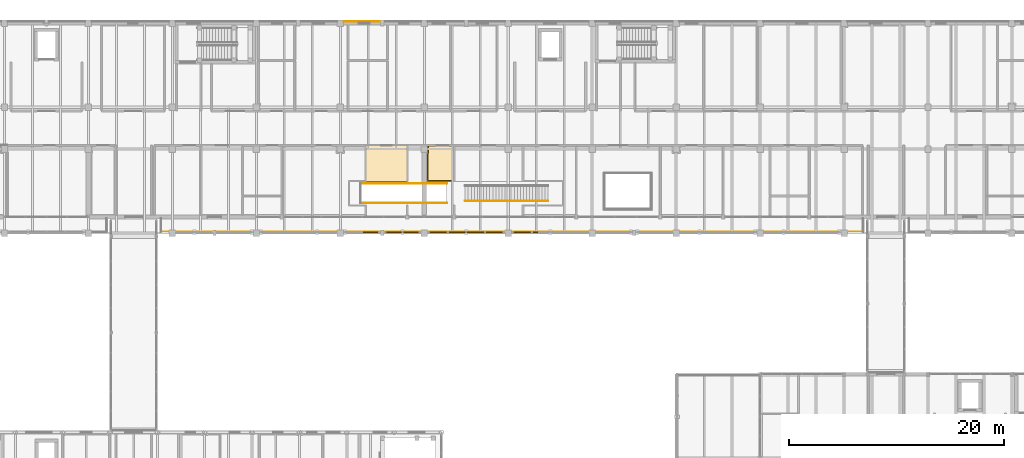
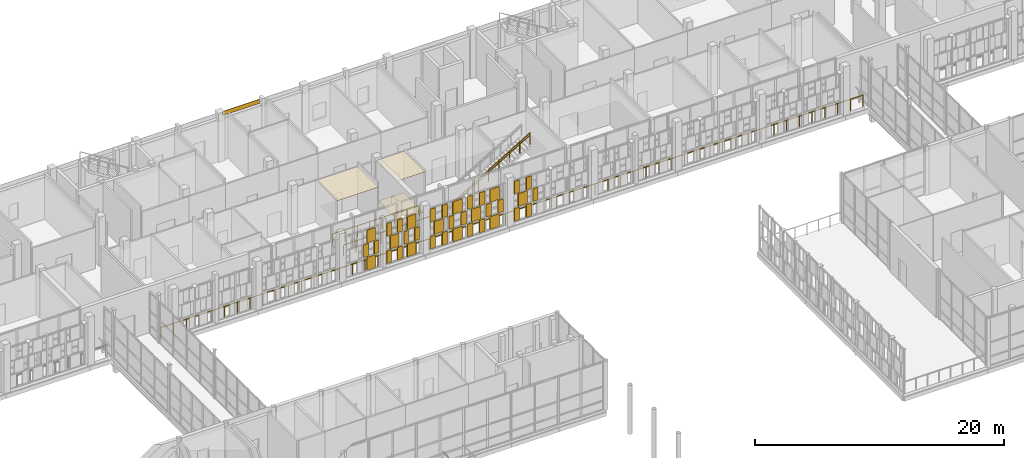
# One storey, part 133 of 138: 41 coverings, 5 railings.
"""IFC4 building model written with IfcOpenShell, lengths in metres."""

from ifc_helpers import new_model, si_unit, direction, frame, origin, origin_2d, place, context, subcontext, project, spatial, polyline, rectangle, circle, outline, extrude, material, layer, layer_set, type_object, element, save


model = new_model("IFC4")

# Units and contexts
model_context = context("Model", 3, precision=1e-05, world=origin(), true_north=direction((0.0, 1.0)))
body_context = subcontext(model_context, "Body", "Model", "MODEL_VIEW")
ifc_project = project(units=[si_unit("LENGTHUNIT", "METRE"), si_unit("AREAUNIT", "SQUARE_METRE"), si_unit("VOLUMEUNIT", "CUBIC_METRE"), si_unit("PLANEANGLEUNIT", "RADIAN"), si_unit("MASSUNIT", "GRAM", prefix="KILO")], contexts=[model_context])

# Site, building, storey
site_placement = place(None, origin())
site = spatial("IfcSite", under=ifc_project, at=site_placement, CompositionType="ELEMENT")
building_placement = place(site_placement, origin())
building = spatial("IfcBuilding", under=site, at=building_placement, Name="Celorna Specialist Clinic", CompositionType="ELEMENT")
storey_placement = place(building_placement, frame((0.0, 0.0, 4.800048828125)))
storey = spatial("IfcBuildingStorey", under=building, at=storey_placement, Name="L01", CompositionType="ELEMENT", Elevation=4.800048828125)

# Railings
ifc_material_1 = material(Name="Stainless steel and laminated glass balustrade", Category="steel")
railing_type_1 = type_object("IfcRailingType", Name="BL-01", PredefinedType="BALUSTRADE", material=ifc_material_1)
railing_1_placement = place(storey_placement, frame((142.179931640625, 96.6201171875, 0.0)))
element("IfcRailing", 1, at=railing_1_placement, inside=storey, type_object=railing_type_1, Name="Central Outpatient Cloister Veranda perimeter balustrade 4", PredefinedType="BALUSTRADE", context=body_context, shape_type="SweptSolid", body=[
    extrude(circle(Radius=0.02392578125, at=origin_2d()), frame((0.0, 0.0, 1.09619140625), z_axis=(-1.0, 0.0, 0.0), x_axis=(0.0, -1.0, 0.0)), (0.0, 0.0, 1.0), 65.260009765625),
    extrude(circle(Radius=0.02099609375, at=origin_2d()), origin(), (0.0, 0.0, 1.0), 1.072021484375),
    extrude(circle(Radius=0.02099609375, at=origin_2d()), frame((-1.1865234375, 0.0, 0.0)), (0.0, 0.0, 1.0), 1.072021484375),
    extrude(circle(Radius=0.02099609375, at=origin_2d()), frame((-2.373046875, 0.0, 0.0)), (0.0, 0.0, 1.0), 1.072021484375),
    extrude(circle(Radius=0.02099609375, at=origin_2d()), frame((-3.5595703125, 0.0, 0.0)), (0.0, 0.0, 1.0), 1.072021484375),
    extrude(circle(Radius=0.02099609375, at=origin_2d()), frame((-4.74609375, 0.0, 0.0)), (0.0, 0.0, 1.0), 1.072021484375),
    extrude(circle(Radius=0.02099609375, at=origin_2d()), frame((-5.9326171875, 0.0, 0.0)), (0.0, 0.0, 1.0), 1.072021484375),
    extrude(circle(Radius=0.02099609375, at=origin_2d()), frame((-7.119384765625, 0.0, 0.0)), (0.0, 0.0, 1.0), 1.072021484375),
    extrude(circle(Radius=0.02099609375, at=origin_2d()), frame((-8.305908203125, 0.0, 0.0)), (0.0, 0.0, 1.0), 1.072021484375),
    extrude(circle(Radius=0.02099609375, at=origin_2d()), frame((-9.492431640625, 0.0, 0.0)), (0.0, 0.0, 1.0), 1.072021484375),
    extrude(circle(Radius=0.02099609375, at=origin_2d()), frame((-10.678955078125, 0.0, 0.0)), (0.0, 0.0, 1.0), 1.072021484375),
    extrude(circle(Radius=0.02099609375, at=origin_2d()), frame((-11.865478515625, 0.0, 0.0)), (0.0, 0.0, 1.0), 1.072021484375),
    extrude(circle(Radius=0.02099609375, at=origin_2d()), frame((-13.052001953125, 0.0, 0.0)), (0.0, 0.0, 1.0), 1.072021484375),
    extrude(circle(Radius=0.02099609375, at=origin_2d()), frame((-14.238525390625, 0.0, 0.0)), (0.0, 0.0, 1.0), 1.072021484375),
    extrude(circle(Radius=0.02099609375, at=origin_2d()), frame((-15.425048828125, 0.0, 0.0)), (0.0, 0.0, 1.0), 1.072021484375),
    extrude(circle(Radius=0.02099609375, at=origin_2d()), frame((-16.611572265625, 0.0, 0.0)), (0.0, 0.0, 1.0), 1.072021484375),
    extrude(circle(Radius=0.02099609375, at=origin_2d()), frame((-17.798095703125, 0.0, 0.0)), (0.0, 0.0, 1.0), 1.072021484375),
    extrude(circle(Radius=0.02099609375, at=origin_2d()), frame((-18.984619140625, 0.0, 0.0)), (0.0, 0.0, 1.0), 1.072021484375),
    extrude(circle(Radius=0.02099609375, at=origin_2d()), frame((-20.17138671875, 0.0, 0.0)), (0.0, 0.0, 1.0), 1.072021484375),
    extrude(circle(Radius=0.02099609375, at=origin_2d()), frame((-21.35791015625, 0.0, 0.0)), (0.0, 0.0, 1.0), 1.072021484375),
    extrude(circle(Radius=0.02099609375, at=origin_2d()), frame((-22.54443359375, 0.0, 0.0)), (0.0, 0.0, 1.0), 1.072021484375),
    extrude(circle(Radius=0.02099609375, at=origin_2d()), frame((-23.73095703125, 0.0, 0.0)), (0.0, 0.0, 1.0), 1.072021484375),
    extrude(circle(Radius=0.02099609375, at=origin_2d()), frame((-24.91748046875, 0.0, 0.0)), (0.0, 0.0, 1.0), 1.072021484375),
    extrude(circle(Radius=0.02099609375, at=origin_2d()), frame((-26.10400390625, 0.0, 0.0)), (0.0, 0.0, 1.0), 1.072021484375),
    extrude(circle(Radius=0.02099609375, at=origin_2d()), frame((-27.29052734375, 0.0, 0.0)), (0.0, 0.0, 1.0), 1.072021484375),
    extrude(circle(Radius=0.02099609375, at=origin_2d()), frame((-28.47705078125, 0.0, 0.0)), (0.0, 0.0, 1.0), 1.072021484375),
    extrude(circle(Radius=0.02099609375, at=origin_2d()), frame((-29.66357421875, 0.0, 0.0)), (0.0, 0.0, 1.0), 1.072021484375),
    extrude(circle(Radius=0.02099609375, at=origin_2d()), frame((-30.85009765625, 0.0, 0.0)), (0.0, 0.0, 1.0), 1.072021484375),
    extrude(circle(Radius=0.02099609375, at=origin_2d()), frame((-32.03662109375, 0.0, 0.0)), (0.0, 0.0, 1.0), 1.072021484375),
    extrude(circle(Radius=0.02099609375, at=origin_2d()), frame((-33.223388671875, 0.0, 0.0)), (0.0, 0.0, 1.0), 1.072021484375),
    extrude(circle(Radius=0.02099609375, at=origin_2d()), frame((-34.409912109375, 0.0, 0.0)), (0.0, 0.0, 1.0), 1.072021484375),
    extrude(circle(Radius=0.02099609375, at=origin_2d()), frame((-35.596435546875, 0.0, 0.0)), (0.0, 0.0, 1.0), 1.072021484375),
    extrude(circle(Radius=0.02099609375, at=origin_2d()), frame((-36.782958984375, 0.0, 0.0)), (0.0, 0.0, 1.0), 1.072021484375),
    extrude(circle(Radius=0.02099609375, at=origin_2d()), frame((-37.969482421875, 0.0, 0.0)), (0.0, 0.0, 1.0), 1.072021484375),
    extrude(circle(Radius=0.02099609375, at=origin_2d()), frame((-39.156005859375, 0.0, 0.0)), (0.0, 0.0, 1.0), 1.072021484375),
    extrude(circle(Radius=0.02099609375, at=origin_2d()), frame((-40.342529296875, 0.0, 0.0)), (0.0, 0.0, 1.0), 1.072021484375),
    extrude(circle(Radius=0.02099609375, at=origin_2d()), frame((-41.529052734375, 0.0, 0.0)), (0.0, 0.0, 1.0), 1.072021484375),
    extrude(circle(Radius=0.02099609375, at=origin_2d()), frame((-42.715576171875, 0.0, 0.0)), (0.0, 0.0, 1.0), 1.072021484375),
    extrude(circle(Radius=0.02099609375, at=origin_2d()), frame((-43.902099609375, 0.0, 0.0)), (0.0, 0.0, 1.0), 1.072021484375),
    extrude(circle(Radius=0.02099609375, at=origin_2d()), frame((-45.088623046875, 0.0, 0.0)), (0.0, 0.0, 1.0), 1.072021484375),
    extrude(circle(Radius=0.02099609375, at=origin_2d()), frame((-46.275390625, 0.0, 0.0)), (0.0, 0.0, 1.0), 1.072021484375),
    extrude(circle(Radius=0.02099609375, at=origin_2d()), frame((-47.4619140625, 0.0, 0.0)), (0.0, 0.0, 1.0), 1.072021484375),
    extrude(circle(Radius=0.02099609375, at=origin_2d()), frame((-48.6484375, 0.0, 0.0)), (0.0, 0.0, 1.0), 1.072021484375),
    extrude(circle(Radius=0.02099609375, at=origin_2d()), frame((-49.8349609375, 0.0, 0.0)), (0.0, 0.0, 1.0), 1.072021484375),
    extrude(circle(Radius=0.02099609375, at=origin_2d()), frame((-51.021484375, 0.0, 0.0)), (0.0, 0.0, 1.0), 1.072021484375),
    extrude(circle(Radius=0.02099609375, at=origin_2d()), frame((-52.2080078125, 0.0, 0.0)), (0.0, 0.0, 1.0), 1.072021484375),
    extrude(circle(Radius=0.02099609375, at=origin_2d()), frame((-53.39453125, 0.0, 0.0)), (0.0, 0.0, 1.0), 1.072021484375),
    extrude(circle(Radius=0.02099609375, at=origin_2d()), frame((-54.5810546875, 0.0, 0.0)), (0.0, 0.0, 1.0), 1.072021484375),
    extrude(circle(Radius=0.02099609375, at=origin_2d()), frame((-55.767578125, 0.0, 0.0)), (0.0, 0.0, 1.0), 1.072021484375),
    extrude(circle(Radius=0.02099609375, at=origin_2d()), frame((-56.9541015625, 0.0, 0.0)), (0.0, 0.0, 1.0), 1.072021484375),
    extrude(circle(Radius=0.02099609375, at=origin_2d()), frame((-58.140625, 0.0, 0.0)), (0.0, 0.0, 1.0), 1.072021484375),
    extrude(circle(Radius=0.02099609375, at=origin_2d()), frame((-59.327392578125, 0.0, 0.0)), (0.0, 0.0, 1.0), 1.072021484375),
    extrude(circle(Radius=0.02099609375, at=origin_2d()), frame((-60.513916015625, 0.0, 0.0)), (0.0, 0.0, 1.0), 1.072021484375),
    extrude(circle(Radius=0.02099609375, at=origin_2d()), frame((-61.700439453125, 0.0, 0.0)), (0.0, 0.0, 1.0), 1.072021484375),
    extrude(circle(Radius=0.02099609375, at=origin_2d()), frame((-62.886962890625, 0.0, 0.0)), (0.0, 0.0, 1.0), 1.072021484375),
    extrude(circle(Radius=0.02099609375, at=origin_2d()), frame((-64.073486328125, 0.0, 0.0)), (0.0, 0.0, 1.0), 1.072021484375),
    extrude(circle(Radius=0.02099609375, at=origin_2d()), frame((-65.260009765625, 0.0, 0.0)), (0.0, 0.0, 1.0), 1.072021484375),
])
railing_2_placement = place(storey_placement, frame((103.514892578125, 99.304931640625, 0.0)))
element("IfcRailing", 2, at=railing_2_placement, inside=storey, type_object=railing_type_1, Name="Feature stair ST-16 upper well balustrade 1", PredefinedType="BALUSTRADE", context=body_context, shape_type="SweptSolid", body=[
    extrude(circle(Radius=0.02392578125, at=origin_2d()), frame((0.0, 0.0, 1.09619140625), z_axis=(-1.0, 0.0, 0.0), x_axis=(0.0, -1.0, 0.0)), (0.0, 0.0, 1.0), 8.054931640625),
    extrude(circle(Radius=0.02099609375, at=origin_2d()), origin(), (0.0, 0.0, 1.0), 1.072021484375),
    extrude(circle(Radius=0.02099609375, at=origin_2d()), frame((-1.150634765625, 0.0, 0.0)), (0.0, 0.0, 1.0), 1.072021484375),
    extrude(circle(Radius=0.02099609375, at=origin_2d()), frame((-2.301513671875, 0.0, 0.0)), (0.0, 0.0, 1.0), 1.072021484375),
    extrude(circle(Radius=0.02099609375, at=origin_2d()), frame((-3.4521484375, 0.0, 0.0)), (0.0, 0.0, 1.0), 1.072021484375),
    extrude(circle(Radius=0.02099609375, at=origin_2d()), frame((-4.602783203125, 0.0, 0.0)), (0.0, 0.0, 1.0), 1.072021484375),
    extrude(circle(Radius=0.02099609375, at=origin_2d()), frame((-5.75341796875, 0.0, 0.0)), (0.0, 0.0, 1.0), 1.072021484375),
    extrude(circle(Radius=0.02099609375, at=origin_2d()), frame((-6.904296875, 0.0, 0.0)), (0.0, 0.0, 1.0), 1.072021484375),
    extrude(circle(Radius=0.02099609375, at=origin_2d()), frame((-8.054931640625, 0.0, 0.0)), (0.0, 0.0, 1.0), 1.072021484375),
])
railing_3_placement = place(storey_placement, frame((95.4599609375, 101.094970703125, 0.0)))
element("IfcRailing", 3, at=railing_3_placement, inside=storey, type_object=railing_type_1, Name="Feature stair ST-16 upper well balustrade 3", PredefinedType="BALUSTRADE", context=body_context, shape_type="SweptSolid", body=[
    extrude(circle(Radius=0.02392578125, at=origin_2d()), frame((0.0, 0.0, 1.09619140625), z_axis=(1.0, 0.0, 0.0), x_axis=(0.0, 1.0, 0.0)), (0.0, 0.0, 1.0), 8.054931640625),
    extrude(circle(Radius=0.02099609375, at=origin_2d()), origin(), (0.0, 0.0, 1.0), 1.072021484375),
    extrude(circle(Radius=0.02099609375, at=origin_2d()), frame((1.150634765625, 0.0, 0.0)), (0.0, 0.0, 1.0), 1.072021484375),
    extrude(circle(Radius=0.02099609375, at=origin_2d()), frame((2.301513671875, 0.0, 0.0)), (0.0, 0.0, 1.0), 1.072021484375),
    extrude(circle(Radius=0.02099609375, at=origin_2d()), frame((3.4521484375, 0.0, 0.0)), (0.0, 0.0, 1.0), 1.072021484375),
    extrude(circle(Radius=0.02099609375, at=origin_2d()), frame((4.602783203125, 0.0, 0.0)), (0.0, 0.0, 1.0), 1.072021484375),
    extrude(circle(Radius=0.02099609375, at=origin_2d()), frame((5.75341796875, 0.0, 0.0)), (0.0, 0.0, 1.0), 1.072021484375),
    extrude(circle(Radius=0.02099609375, at=origin_2d()), frame((6.904296875, 0.0, 0.0)), (0.0, 0.0, 1.0), 1.072021484375),
    extrude(circle(Radius=0.02099609375, at=origin_2d()), frame((8.054931640625, 0.0, 0.0)), (0.0, 0.0, 1.0), 1.072021484375),
])
railing_4_placement = place(storey_placement, frame((105.199951171875, 99.5, 0.17138671875)))
element("IfcRailing", 4, at=railing_4_placement, inside=storey, type_object=railing_type_1, Name="Feature stair ST-17 balustrade", PredefinedType="BALUSTRADE", context=body_context, shape_type="SweptSolid", body=[
    extrude(circle(Radius=0.02392578125, at=origin_2d()), frame((0.0, 0.0, 1.09619140625), z_axis=(0.856921461139, 0.0, 0.515446999642), x_axis=(0.0, 1.0, 0.0)), (0.0, 0.0, 1.0), 8.97998046875),
    extrude(circle(Radius=0.02099609375, at=origin_2d()), origin(), (0.0, 0.0, 1.0), 1.072021484375),
    extrude(circle(Radius=0.02099609375, at=origin_2d()), frame((0.9619140625, 0.0, 0.57861328125)), (0.0, 0.0, 1.0), 1.072021484375),
    extrude(circle(Radius=0.02099609375, at=origin_2d()), frame((1.923828125, 0.0, 1.1572265625)), (0.0, 0.0, 1.0), 1.072021484375),
    extrude(circle(Radius=0.02099609375, at=origin_2d()), frame((2.8857421875, 0.0, 1.73583984375)), (0.0, 0.0, 1.0), 1.072021484375),
    extrude(circle(Radius=0.02099609375, at=origin_2d()), frame((3.84765625, 0.0, 2.314453125)), (0.0, 0.0, 1.0), 1.072021484375),
    extrude(circle(Radius=0.02099609375, at=origin_2d()), frame((4.809326171875, 0.0, 2.892822265625)), (0.0, 0.0, 1.0), 1.072021484375),
    extrude(circle(Radius=0.02099609375, at=origin_2d()), frame((5.771240234375, 0.0, 3.471435546875)), (0.0, 0.0, 1.0), 1.072021484375),
    extrude(circle(Radius=0.02099609375, at=origin_2d()), frame((6.733154296875, 0.0, 4.050048828125)), (0.0, 0.0, 1.0), 1.072021484375),
    extrude(circle(Radius=0.02099609375, at=origin_2d()), frame((7.695068359375, 0.0, 4.628662109375)), (0.0, 0.0, 1.0), 1.072021484375),
])

# Coverings
ifc_material_2 = material(Name="Hygienic acoustic mineral-fibre ceiling")
ifc_layer_1 = layer(ifc_material_2, 0.030029296875, Name="Hygienic acoustic mineral-fibre ceiling")
ifc_layer_set_1 = layer_set([ifc_layer_1], Name="Hygienic acoustic mineral-fibre ceiling")
covering_type_1 = type_object("IfcCoveringType", Name="CE-01", PredefinedType="CEILING", material=ifc_layer_set_1)
covering_1_placement = place(storey_placement, frame((0.0, 0.0, 3.989990234375)))
element("IfcCovering", 5, at=covering_1_placement, inside=storey, type_object=covering_type_1, Name="Acoustic ceiling L01-061", PredefinedType="CEILING", context=body_context, shape_type="SweptSolid", body=[
    extrude(outline(polyline([(99.8349609375, 101.31005859375), (95.955078125, 101.31005859375), (95.955078125, 104.6650390625), (99.8349609375, 104.6650390625), (99.8349609375, 101.31005859375)])), origin(), (0.0, 0.0, 1.0), 0.030029296875),
])
covering_2_placement = place(storey_placement, frame((0.0, 0.0, 3.989990234375)))
element("IfcCovering", 6, at=covering_2_placement, inside=storey, type_object=covering_type_1, Name="Acoustic ceiling L01-062", PredefinedType="CEILING", context=body_context, shape_type="SweptSolid", body=[
    extrude(outline(polyline([(101.695068359375, 104.6650390625), (104.18505859375, 104.6650390625), (104.18505859375, 101.31005859375), (101.635009765625, 101.31005859375), (101.635009765625, 103.9951171875), (101.705078125, 103.9951171875), (101.705078125, 104.60498046875), (101.695068359375, 104.60498046875), (101.695068359375, 104.6650390625)])), origin(), (0.0, 0.0, 1.0), 0.030029296875),
])
ifc_material_3 = material(Name="Pero Pinheiro Lioz limestone rainscreen cladding", Category="masonry")
ifc_layer_2 = layer(ifc_material_3, 0.044921875, Name="Pero Pinheiro Lioz limestone rainscreen cladding")
ifc_layer_set_2 = layer_set([ifc_layer_2], Name="Pero Pinheiro Lioz limestone rainscreen cladding")
covering_type_2 = type_object("IfcCoveringType", Name="CL-01", PredefinedType="CLADDING", material=ifc_layer_set_2)
covering_3_placement = place(storey_placement, frame((95.625, 116.1474609375, 4.139892578125), z_axis=(0.0, 0.0, 1.0), x_axis=(1.0, 0.0, 0.0)))
element("IfcCovering", 7, at=covering_3_placement, inside=storey, type_object=covering_type_2, Name="Lioz spandrel cladding #212", PredefinedType="CLADDING", context=body_context, shape_type="SweptSolid", body=[
    extrude(rectangle(XDim=3.449951171875, YDim=0.044921875, at=origin_2d()), origin(), (0.0, 0.0, 1.0), 0.39990234375),
])
ifc_material_4 = material(Name="Perforated terracotta brick weave cladding", Category="masonry")
ifc_layer_3 = layer(ifc_material_4, 0.114990234375, Name="Perforated terracotta brick weave cladding")
ifc_layer_set_3 = layer_set([ifc_layer_3], Name="Perforated terracotta brick weave cladding")
covering_type_3 = type_object("IfcCoveringType", Name="CL-02", PredefinedType="CLADDING", material=ifc_layer_set_3)
covering_4_placement = place(storey_placement, frame((96.41748046875, 96.570068359375, 0.10009765625), z_axis=(0.0, 0.0, 1.0), x_axis=(1.0, 0.0, 0.0)))
element("IfcCovering", 8, at=covering_4_placement, inside=storey, type_object=covering_type_3, Name="Woven perforated terracotta brick course #712", PredefinedType="CLADDING", context=body_context, shape_type="SweptSolid", body=[
    extrude(rectangle(XDim=0.791015625, YDim=0.114990234375, at=origin_2d()), origin(), (0.0, 0.0, 1.0), 1.24658203125),
])
for number, where, z_axis, x_axis, name in (
    (9, (95.908447265625, 96.570068359375, 1.44677734375), (0.0, 0.0, 1.0), (1.0, 0.0, 0.0), "Woven perforated terracotta brick course #713"),
    (10, (96.926513671875, 96.570068359375, 1.44677734375), (0.0, 0.0, 1.0), (1.0, 0.0, 0.0), "Woven perforated terracotta brick course #714"),
):
    element("IfcCovering", number, at=place(storey_placement, frame(where, z_axis=z_axis, x_axis=x_axis)), inside=storey, type_object=covering_type_3, Name=name, PredefinedType="CLADDING", context=body_context, shape_type="SweptSolid", body=[
        extrude(rectangle(XDim=0.44677734375, YDim=0.114990234375, at=origin_2d()), origin(), (0.0, 0.0, 1.0), 1.24658203125),
    ])
covering_5_placement = place(storey_placement, frame((96.41748046875, 96.570068359375, 2.793212890625), z_axis=(0.0, 0.0, 1.0), x_axis=(1.0, 0.0, 0.0)))
element("IfcCovering", 11, at=covering_5_placement, inside=storey, type_object=covering_type_3, Name="Woven perforated terracotta brick course #715", PredefinedType="CLADDING", context=body_context, shape_type="SweptSolid", body=[
    extrude(rectangle(XDim=0.791015625, YDim=0.114990234375, at=origin_2d()), origin(), (0.0, 0.0, 1.0), 1.24658203125),
])
for number, where, z_axis, x_axis, name in (
    (12, (98.073486328125, 96.570068359375, 0.10009765625), (0.0, 0.0, 1.0), (1.0, 0.0, 0.0), "Woven perforated terracotta brick course #716"),
    (13, (99.091552734375, 96.570068359375, 0.10009765625), (0.0, 0.0, 1.0), (1.0, 0.0, 0.0), "Woven perforated terracotta brick course #717"),
):
    element("IfcCovering", number, at=place(storey_placement, frame(where, z_axis=z_axis, x_axis=x_axis)), inside=storey, type_object=covering_type_3, Name=name, PredefinedType="CLADDING", context=body_context, shape_type="SweptSolid", body=[
        extrude(rectangle(XDim=0.44677734375, YDim=0.114990234375, at=origin_2d()), origin(), (0.0, 0.0, 1.0), 1.24658203125),
    ])
covering_6_placement = place(storey_placement, frame((98.58251953125, 96.570068359375, 1.44677734375), z_axis=(0.0, 0.0, 1.0), x_axis=(1.0, 0.0, 0.0)))
element("IfcCovering", 14, at=covering_6_placement, inside=storey, type_object=covering_type_3, Name="Woven perforated terracotta brick course #718", PredefinedType="CLADDING", context=body_context, shape_type="SweptSolid", body=[
    extrude(rectangle(XDim=0.791015625, YDim=0.114990234375, at=origin_2d()), origin(), (0.0, 0.0, 1.0), 1.24658203125),
])
for number, where, z_axis, x_axis, name in (
    (15, (98.073486328125, 96.570068359375, 2.793212890625), (0.0, 0.0, 1.0), (1.0, 0.0, 0.0), "Woven perforated terracotta brick course #719"),
    (16, (99.091552734375, 96.570068359375, 2.793212890625), (0.0, 0.0, 1.0), (1.0, 0.0, 0.0), "Woven perforated terracotta brick course #720"),
):
    element("IfcCovering", number, at=place(storey_placement, frame(where, z_axis=z_axis, x_axis=x_axis)), inside=storey, type_object=covering_type_3, Name=name, PredefinedType="CLADDING", context=body_context, shape_type="SweptSolid", body=[
        extrude(rectangle(XDim=0.44677734375, YDim=0.114990234375, at=origin_2d()), origin(), (0.0, 0.0, 1.0), 1.24658203125),
    ])
covering_7_placement = place(storey_placement, frame((100.16748046875, 96.570068359375, 0.10009765625), z_axis=(0.0, 0.0, 1.0), x_axis=(1.0, 0.0, 0.0)))
element("IfcCovering", 17, at=covering_7_placement, inside=storey, type_object=covering_type_3, Name="Woven perforated terracotta brick course #721", PredefinedType="CLADDING", context=body_context, shape_type="SweptSolid", body=[
    extrude(rectangle(XDim=0.791015625, YDim=0.114990234375, at=origin_2d()), origin(), (0.0, 0.0, 1.0), 1.24658203125),
])
for number, where, z_axis, x_axis, name in (
    (18, (99.658447265625, 96.570068359375, 1.44677734375), (0.0, 0.0, 1.0), (1.0, 0.0, 0.0), "Woven perforated terracotta brick course #722"),
    (19, (100.676513671875, 96.570068359375, 1.44677734375), (0.0, 0.0, 1.0), (1.0, 0.0, 0.0), "Woven perforated terracotta brick course #723"),
):
    element("IfcCovering", number, at=place(storey_placement, frame(where, z_axis=z_axis, x_axis=x_axis)), inside=storey, type_object=covering_type_3, Name=name, PredefinedType="CLADDING", context=body_context, shape_type="SweptSolid", body=[
        extrude(rectangle(XDim=0.44677734375, YDim=0.114990234375, at=origin_2d()), origin(), (0.0, 0.0, 1.0), 1.24658203125),
    ])
covering_8_placement = place(storey_placement, frame((100.16748046875, 96.570068359375, 2.793212890625), z_axis=(0.0, 0.0, 1.0), x_axis=(1.0, 0.0, 0.0)))
element("IfcCovering", 20, at=covering_8_placement, inside=storey, type_object=covering_type_3, Name="Woven perforated terracotta brick course #724", PredefinedType="CLADDING", context=body_context, shape_type="SweptSolid", body=[
    extrude(rectangle(XDim=0.791015625, YDim=0.114990234375, at=origin_2d()), origin(), (0.0, 0.0, 1.0), 1.24658203125),
])
for number, where, z_axis, x_axis, name in (
    (21, (102.1455078125, 96.570068359375, 0.10009765625), (0.0, 0.0, 1.0), (1.0, 0.0, 0.0), "Woven perforated terracotta brick course #725"),
    (22, (103.264404296875, 96.570068359375, 0.10009765625), (0.0, 0.0, 1.0), (1.0, 0.0, 0.0), "Woven perforated terracotta brick course #726"),
):
    element("IfcCovering", number, at=place(storey_placement, frame(where, z_axis=z_axis, x_axis=x_axis)), inside=storey, type_object=covering_type_3, Name=name, PredefinedType="CLADDING", context=body_context, shape_type="SweptSolid", body=[
        extrude(rectangle(XDim=0.4912109375, YDim=0.114990234375, at=origin_2d()), origin(), (0.0, 0.0, 1.0), 1.24658203125),
    ])
covering_9_placement = place(storey_placement, frame((102.705078125, 96.570068359375, 1.44677734375), z_axis=(0.0, 0.0, 1.0), x_axis=(1.0, 0.0, 0.0)))
element("IfcCovering", 23, at=covering_9_placement, inside=storey, type_object=covering_type_3, Name="Woven perforated terracotta brick course #727", PredefinedType="CLADDING", context=body_context, shape_type="SweptSolid", body=[
    extrude(rectangle(XDim=0.869384765625, YDim=0.114990234375, at=origin_2d()), origin(), (0.0, 0.0, 1.0), 1.24658203125),
])
for number, where, z_axis, x_axis, name in (
    (24, (102.1455078125, 96.570068359375, 2.793212890625), (0.0, 0.0, 1.0), (1.0, 0.0, 0.0), "Woven perforated terracotta brick course #728"),
    (25, (103.264404296875, 96.570068359375, 2.793212890625), (0.0, 0.0, 1.0), (1.0, 0.0, 0.0), "Woven perforated terracotta brick course #729"),
):
    element("IfcCovering", number, at=place(storey_placement, frame(where, z_axis=z_axis, x_axis=x_axis)), inside=storey, type_object=covering_type_3, Name=name, PredefinedType="CLADDING", context=body_context, shape_type="SweptSolid", body=[
        extrude(rectangle(XDim=0.4912109375, YDim=0.114990234375, at=origin_2d()), origin(), (0.0, 0.0, 1.0), 1.24658203125),
    ])
covering_10_placement = place(storey_placement, frame((104.43505859375, 96.570068359375, 0.10009765625), z_axis=(0.0, 0.0, 1.0), x_axis=(1.0, 0.0, 0.0)))
element("IfcCovering", 26, at=covering_10_placement, inside=storey, type_object=covering_type_3, Name="Woven perforated terracotta brick course #730", PredefinedType="CLADDING", context=body_context, shape_type="SweptSolid", body=[
    extrude(rectangle(XDim=0.869384765625, YDim=0.114990234375, at=origin_2d()), origin(), (0.0, 0.0, 1.0), 1.24658203125),
])
for number, where, z_axis, x_axis, name in (
    (27, (103.87548828125, 96.570068359375, 1.44677734375), (0.0, 0.0, 1.0), (1.0, 0.0, 0.0), "Woven perforated terracotta brick course #731"),
    (28, (104.994384765625, 96.570068359375, 1.44677734375), (0.0, 0.0, 1.0), (1.0, 0.0, 0.0), "Woven perforated terracotta brick course #732"),
):
    element("IfcCovering", number, at=place(storey_placement, frame(where, z_axis=z_axis, x_axis=x_axis)), inside=storey, type_object=covering_type_3, Name=name, PredefinedType="CLADDING", context=body_context, shape_type="SweptSolid", body=[
        extrude(rectangle(XDim=0.4912109375, YDim=0.114990234375, at=origin_2d()), origin(), (0.0, 0.0, 1.0), 1.24658203125),
    ])
covering_11_placement = place(storey_placement, frame((104.43505859375, 96.570068359375, 2.793212890625), z_axis=(0.0, 0.0, 1.0), x_axis=(1.0, 0.0, 0.0)))
element("IfcCovering", 29, at=covering_11_placement, inside=storey, type_object=covering_type_3, Name="Woven perforated terracotta brick course #733", PredefinedType="CLADDING", context=body_context, shape_type="SweptSolid", body=[
    extrude(rectangle(XDim=0.869384765625, YDim=0.114990234375, at=origin_2d()), origin(), (0.0, 0.0, 1.0), 1.24658203125),
])
for number, where, z_axis, x_axis, name in (
    (30, (105.605712890625, 96.570068359375, 0.10009765625), (0.0, 0.0, 1.0), (1.0, 0.0, 0.0), "Woven perforated terracotta brick course #734"),
    (31, (106.724609375, 96.570068359375, 0.10009765625), (0.0, 0.0, 1.0), (1.0, 0.0, 0.0), "Woven perforated terracotta brick course #735"),
):
    element("IfcCovering", number, at=place(storey_placement, frame(where, z_axis=z_axis, x_axis=x_axis)), inside=storey, type_object=covering_type_3, Name=name, PredefinedType="CLADDING", context=body_context, shape_type="SweptSolid", body=[
        extrude(rectangle(XDim=0.4912109375, YDim=0.114990234375, at=origin_2d()), origin(), (0.0, 0.0, 1.0), 1.24658203125),
    ])
covering_12_placement = place(storey_placement, frame((106.1650390625, 96.570068359375, 1.44677734375), z_axis=(0.0, 0.0, 1.0), x_axis=(1.0, 0.0, 0.0)))
element("IfcCovering", 32, at=covering_12_placement, inside=storey, type_object=covering_type_3, Name="Woven perforated terracotta brick course #736", PredefinedType="CLADDING", context=body_context, shape_type="SweptSolid", body=[
    extrude(rectangle(XDim=0.869384765625, YDim=0.114990234375, at=origin_2d()), origin(), (0.0, 0.0, 1.0), 1.24658203125),
])
for number, where, z_axis, x_axis, name in (
    (33, (105.605712890625, 96.570068359375, 2.793212890625), (0.0, 0.0, 1.0), (1.0, 0.0, 0.0), "Woven perforated terracotta brick course #737"),
    (34, (106.724609375, 96.570068359375, 2.793212890625), (0.0, 0.0, 1.0), (1.0, 0.0, 0.0), "Woven perforated terracotta brick course #738"),
):
    element("IfcCovering", number, at=place(storey_placement, frame(where, z_axis=z_axis, x_axis=x_axis)), inside=storey, type_object=covering_type_3, Name=name, PredefinedType="CLADDING", context=body_context, shape_type="SweptSolid", body=[
        extrude(rectangle(XDim=0.4912109375, YDim=0.114990234375, at=origin_2d()), origin(), (0.0, 0.0, 1.0), 1.24658203125),
    ])
covering_13_placement = place(storey_placement, frame((107.89501953125, 96.570068359375, 0.10009765625), z_axis=(0.0, 0.0, 1.0), x_axis=(1.0, 0.0, 0.0)))
element("IfcCovering", 35, at=covering_13_placement, inside=storey, type_object=covering_type_3, Name="Woven perforated terracotta brick course #739", PredefinedType="CLADDING", context=body_context, shape_type="SweptSolid", body=[
    extrude(rectangle(XDim=0.869384765625, YDim=0.114990234375, at=origin_2d()), origin(), (0.0, 0.0, 1.0), 1.24658203125),
])
for number, where, z_axis, x_axis, name in (
    (36, (107.335693359375, 96.570068359375, 1.44677734375), (0.0, 0.0, 1.0), (1.0, 0.0, 0.0), "Woven perforated terracotta brick course #740"),
    (37, (108.45458984375, 96.570068359375, 1.44677734375), (0.0, 0.0, 1.0), (1.0, 0.0, 0.0), "Woven perforated terracotta brick course #741"),
):
    element("IfcCovering", number, at=place(storey_placement, frame(where, z_axis=z_axis, x_axis=x_axis)), inside=storey, type_object=covering_type_3, Name=name, PredefinedType="CLADDING", context=body_context, shape_type="SweptSolid", body=[
        extrude(rectangle(XDim=0.4912109375, YDim=0.114990234375, at=origin_2d()), origin(), (0.0, 0.0, 1.0), 1.24658203125),
    ])
covering_14_placement = place(storey_placement, frame((107.89501953125, 96.570068359375, 2.793212890625), z_axis=(0.0, 0.0, 1.0), x_axis=(1.0, 0.0, 0.0)))
element("IfcCovering", 38, at=covering_14_placement, inside=storey, type_object=covering_type_3, Name="Woven perforated terracotta brick course #742", PredefinedType="CLADDING", context=body_context, shape_type="SweptSolid", body=[
    extrude(rectangle(XDim=0.869384765625, YDim=0.114990234375, at=origin_2d()), origin(), (0.0, 0.0, 1.0), 1.24658203125),
])
for number, where, z_axis, x_axis, name in (
    (39, (109.945556640625, 96.570068359375, 0.10009765625), (0.0, 0.0, 1.0), (1.0, 0.0, 0.0), "Woven perforated terracotta brick course #743"),
    (40, (111.064453125, 96.570068359375, 0.10009765625), (0.0, 0.0, 1.0), (1.0, 0.0, 0.0), "Woven perforated terracotta brick course #744"),
):
    element("IfcCovering", number, at=place(storey_placement, frame(where, z_axis=z_axis, x_axis=x_axis)), inside=storey, type_object=covering_type_3, Name=name, PredefinedType="CLADDING", context=body_context, shape_type="SweptSolid", body=[
        extrude(rectangle(XDim=0.4912109375, YDim=0.114990234375, at=origin_2d()), origin(), (0.0, 0.0, 1.0), 1.24658203125),
    ])
covering_15_placement = place(storey_placement, frame((110.5048828125, 96.570068359375, 1.44677734375), z_axis=(0.0, 0.0, 1.0), x_axis=(1.0, 0.0, 0.0)))
element("IfcCovering", 41, at=covering_15_placement, inside=storey, type_object=covering_type_3, Name="Woven perforated terracotta brick course #745", PredefinedType="CLADDING", context=body_context, shape_type="SweptSolid", body=[
    extrude(rectangle(XDim=0.869384765625, YDim=0.114990234375, at=origin_2d()), origin(), (0.0, 0.0, 1.0), 1.24658203125),
])
for number, where, z_axis, x_axis, name in (
    (42, (109.945556640625, 96.570068359375, 2.793212890625), (0.0, 0.0, 1.0), (1.0, 0.0, 0.0), "Woven perforated terracotta brick course #746"),
    (43, (111.064453125, 96.570068359375, 2.793212890625), (0.0, 0.0, 1.0), (1.0, 0.0, 0.0), "Woven perforated terracotta brick course #747"),
    (44, (111.675537109375, 96.570068359375, 1.44677734375), (0.0, 0.0, 1.0), (1.0, 0.0, 0.0), "Woven perforated terracotta brick course #749"),
):
    element("IfcCovering", number, at=place(storey_placement, frame(where, z_axis=z_axis, x_axis=x_axis)), inside=storey, type_object=covering_type_3, Name=name, PredefinedType="CLADDING", context=body_context, shape_type="SweptSolid", body=[
        extrude(rectangle(XDim=0.4912109375, YDim=0.114990234375, at=origin_2d()), origin(), (0.0, 0.0, 1.0), 1.24658203125),
    ])
ifc_material_5 = material(Name="Seamless antimicrobial clinical vinyl and Lioz terrazzo flooring")
ifc_layer_4 = layer(ifc_material_5, 0.02001953125, Name="Seamless antimicrobial clinical vinyl and Lioz terrazzo flooring")
ifc_layer_set_4 = layer_set([ifc_layer_4], Name="Seamless antimicrobial clinical vinyl and Lioz terrazzo flooring")
covering_type_4 = type_object("IfcCoveringType", Name="FL-01", PredefinedType="FLOORING", material=ifc_layer_set_4)
covering_16_placement = place(storey_placement, origin())
element("IfcCovering", 45, at=covering_16_placement, inside=storey, type_object=covering_type_4, Name="Antimicrobial clinical flooring L01-062", PredefinedType="FLOORING", context=body_context, shape_type="SweptSolid", body=[
    extrude(outline(polyline([(101.784912109375, 104.574951171875), (104.094970703125, 104.574951171875), (104.094970703125, 101.39990234375), (101.72509765625, 101.39990234375), (101.72509765625, 103.9150390625), (101.784912109375, 103.9150390625), (101.784912109375, 104.574951171875)])), origin(), (0.0, 0.0, 1.0), 0.02001953125),
])

# Railing
ifc_material_6 = material(Name="Brushed stainless steel handrail", Category="steel")
railing_type_2 = type_object("IfcRailingType", Name="HR-01", PredefinedType="HANDRAIL", material=ifc_material_6)
railing_5_placement = place(storey_placement, frame((105.199951171875, 99.5, 0.17138671875)))
element("IfcRailing", 46, at=railing_5_placement, inside=storey, type_object=railing_type_2, Name="Feature stair ST-17 handrail", PredefinedType="HANDRAIL", context=body_context, shape_type="SweptSolid", body=[
    extrude(circle(Radius=0.02392578125, at=origin_2d()), frame((0.0, 0.0, 0.8759765625), z_axis=(0.856921461139, 0.0, 0.515446999642), x_axis=(0.0, 1.0, 0.0)), (0.0, 0.0, 1.0), 8.97998046875),
    extrude(circle(Radius=0.02099609375, at=origin_2d()), origin(), (0.0, 0.0, 1.0), 0.851806640625),
    extrude(circle(Radius=0.02099609375, at=origin_2d()), frame((0.9619140625, 0.0, 0.57861328125)), (0.0, 0.0, 1.0), 0.851806640625),
    extrude(circle(Radius=0.02099609375, at=origin_2d()), frame((1.923828125, 0.0, 1.1572265625)), (0.0, 0.0, 1.0), 0.851806640625),
    extrude(circle(Radius=0.02099609375, at=origin_2d()), frame((2.8857421875, 0.0, 1.73583984375)), (0.0, 0.0, 1.0), 0.851806640625),
    extrude(circle(Radius=0.02099609375, at=origin_2d()), frame((3.84765625, 0.0, 2.314453125)), (0.0, 0.0, 1.0), 0.851806640625),
    extrude(circle(Radius=0.02099609375, at=origin_2d()), frame((4.809326171875, 0.0, 2.892822265625)), (0.0, 0.0, 1.0), 0.851806640625),
    extrude(circle(Radius=0.02099609375, at=origin_2d()), frame((5.771240234375, 0.0, 3.471435546875)), (0.0, 0.0, 1.0), 0.851806640625),
    extrude(circle(Radius=0.02099609375, at=origin_2d()), frame((6.733154296875, 0.0, 4.050048828125)), (0.0, 0.0, 1.0), 0.851806640625),
    extrude(circle(Radius=0.02099609375, at=origin_2d()), frame((7.695068359375, 0.0, 4.628662109375)), (0.0, 0.0, 1.0), 0.851806640625),
])

save(model, "model.ifc")
